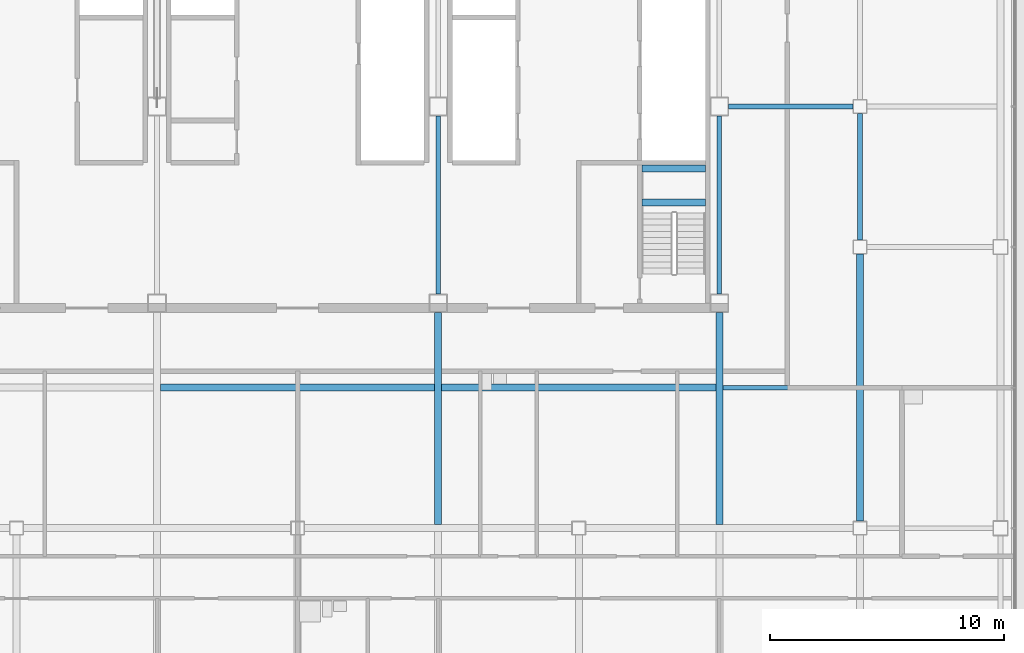
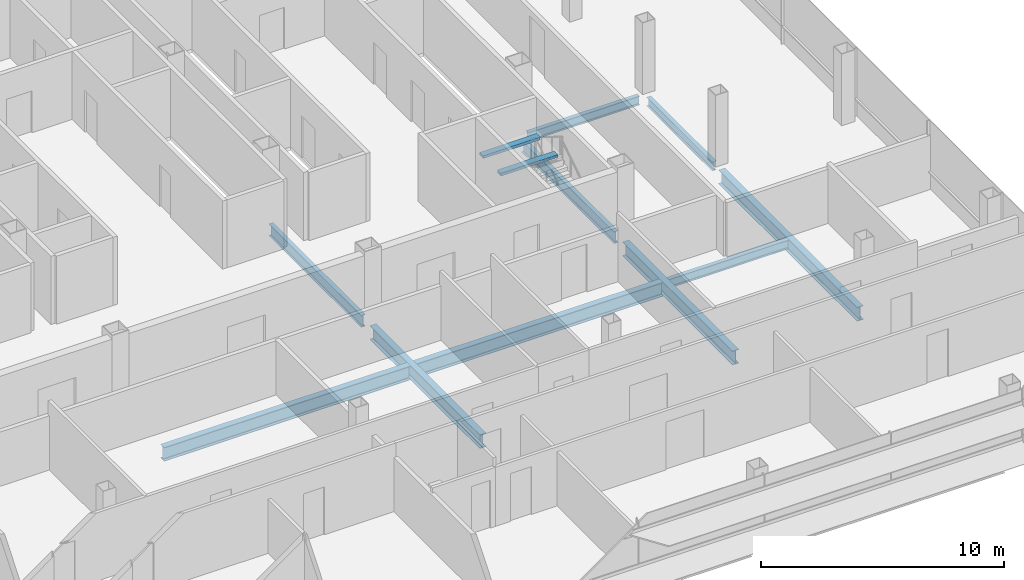
# One storey, part 10 of 26: 12 beams.
"""IFC4 building model written with IfcOpenShell, lengths in metres."""

from ifc_helpers import new_model, si_unit, direction, frame, origin, origin_2d, place, context, subcontext, project, spatial, rectangle, i_section, extrude, material, material_profile, profile_set, type_object, element, save


model = new_model("IFC4")

# Units and contexts
model_context = context("Model", 3, precision=1e-05, world=origin(), true_north=direction((0.0, 1.0)))
body_context = subcontext(model_context, "Body", "Model", "MODEL_VIEW")
ifc_project = project(units=[si_unit("LENGTHUNIT", "METRE"), si_unit("AREAUNIT", "SQUARE_METRE"), si_unit("VOLUMEUNIT", "CUBIC_METRE"), si_unit("PLANEANGLEUNIT", "RADIAN"), si_unit("MASSUNIT", "GRAM", prefix="KILO")], contexts=[model_context])

# Site, building, storey
site_placement = place(None, origin())
site = spatial("IfcSite", under=ifc_project, at=site_placement, CompositionType="ELEMENT")
building_placement = place(site_placement, origin())
building = spatial("IfcBuilding", under=site, at=building_placement, Name="Sorahane Residences", CompositionType="ELEMENT")
storey_placement = place(building_placement, frame((0.0, 0.0, 219.0)))
storey = spatial("IfcBuildingStorey", under=building, at=storey_placement, Name="L51", CompositionType="ELEMENT", Elevation=219.0)

# Beams
ifc_material_1 = material(Name="Concrete C40", Category="concrete")
ifc_material_profile_1 = material_profile(ifc_material_1, rectangle(XDim=0.300048828125, YDim=0.139892578125, at=origin_2d()), Name="300x140")
ifc_profile_set_1 = profile_set([ifc_material_profile_1], Name="Concrete C40")
beam_type_1 = type_object("IfcBeamType", Name="RC landing beam 300 x 140 Concrete C40", PredefinedType="BEAM", material=ifc_profile_set_1)
for number, where, z_axis, x_axis, name in (
    (1, (38.699951171875, 25.89990234375, 1.530029296875), (1.0, 0.0, 0.0), (0.0, 1.0, 0.0), "Landing beam"),
    (2, (38.699951171875, 27.35009765625, 1.530029296875), (1.0, 0.0, 0.0), (0.0, 1.0, 0.0), "Landing beam"),
):
    element("IfcBeam", number, at=place(storey_placement, frame(where, z_axis=z_axis, x_axis=x_axis)), inside=storey, type_object=beam_type_1, Name=name, PredefinedType="BEAM", context=body_context, shape_type="SweptSolid", body=[
        extrude(rectangle(XDim=0.300048828125, YDim=0.139892578125, at=origin_2d()), origin(), (0.0, 0.0, 1.0), 2.699951171875),
    ])
ifc_material_2 = material(Name="Steel Q355B", Category="steel")
ifc_material_profile_2 = material_profile(ifc_material_2, i_section(OverallWidth=0.199951171875, OverallDepth=0.449951171875, WebThickness=0.009033203125, FlangeThickness=0.013916015625, FilletRadius=0.02001953125, at=origin_2d()), Name="HN 450x200x9x14")
ifc_profile_set_2 = profile_set([ifc_material_profile_2], Name="Steel Q355B")
beam_type_2 = type_object("IfcBeamType", Name="Steel floor beam HN 450x200x9x14 Q355B", PredefinedType="BEAM", material=ifc_profile_set_2)
beam_1_placement = place(storey_placement, frame((48.0, 24.300048828125, -0.405029296875), z_axis=(0.0, 1.0, 0.0), x_axis=(-1.0, 0.0, 0.0)))
element("IfcBeam", 3, at=beam_1_placement, inside=storey, type_object=beam_type_2, Name="Beam L51 060", PredefinedType="BEAM", context=body_context, shape_type="SweptSolid", body=[
    extrude(i_section(OverallWidth=0.199951171875, OverallDepth=0.449951171875, WebThickness=0.009033203125, FlangeThickness=0.013916015625, FilletRadius=0.02001953125, at=origin_2d()), origin(), (0.0, 0.0, 1.0), 5.39990234375),
])
beam_2_placement = place(storey_placement, frame((42.14990234375, 18.0, -0.405029296875), z_axis=(1.0, 0.0, 0.0), x_axis=(0.0, 1.0, 0.0)))
element("IfcBeam", 4, at=beam_2_placement, inside=storey, type_object=beam_type_2, Name="Beam L51 083", PredefinedType="BEAM", context=body_context, shape_type="SweptSolid", body=[
    extrude(i_section(OverallWidth=0.199951171875, OverallDepth=0.449951171875, WebThickness=0.009033203125, FlangeThickness=0.013916015625, FilletRadius=0.02001953125, at=origin_2d()), origin(), (0.0, 0.0, 1.0), 5.7001953125),
])
beam_3_placement = place(storey_placement, frame((42.39990234375, 30.0, -0.405029296875), z_axis=(1.0, 0.0, 0.0), x_axis=(0.0, 1.0, 0.0)))
element("IfcBeam", 5, at=beam_3_placement, inside=storey, type_object=beam_type_2, Name="Beam L51 087", PredefinedType="BEAM", context=body_context, shape_type="SweptSolid", body=[
    extrude(i_section(OverallWidth=0.199951171875, OverallDepth=0.449951171875, WebThickness=0.009033203125, FlangeThickness=0.013916015625, FilletRadius=0.02001953125, at=origin_2d()), origin(), (0.0, 0.0, 1.0), 5.300048828125),
])
ifc_material_3 = material(Name="Steel Q355B", Category="steel")
ifc_material_profile_3 = material_profile(ifc_material_3, i_section(OverallWidth=0.199951171875, OverallDepth=0.60009765625, WebThickness=0.010986328125, FlangeThickness=0.01708984375, FilletRadius=0.02392578125, at=origin_2d()), Name="HN 600x200x11x17")
ifc_profile_set_3 = profile_set([ifc_material_profile_3], Name="Steel Q355B")
beam_type_3 = type_object("IfcBeamType", Name="Steel floor beam HN 600x200x11x17 Q355B", PredefinedType="BEAM", material=ifc_profile_set_3)
for number, where, z_axis, x_axis, name in (
    (6, (30.0, 22.0, -0.47998046875), (0.0, 1.0, 0.0), (-1.0, 0.0, 0.0), "Beam L51 046"),
    (7, (42.0, 22.0, -0.47998046875), (0.0, 1.0, 0.0), (-1.0, 0.0, 0.0), "Beam L51 054"),
):
    element("IfcBeam", number, at=place(storey_placement, frame(where, z_axis=z_axis, x_axis=x_axis)), inside=storey, type_object=beam_type_3, Name=name, PredefinedType="BEAM", context=body_context, shape_type="SweptSolid", body=[
        extrude(i_section(OverallWidth=0.199951171875, OverallDepth=0.60009765625, WebThickness=0.010986328125, FlangeThickness=0.01708984375, FilletRadius=0.02392578125, at=origin_2d()), origin(), (0.0, 0.0, 1.0), 7.60009765625),
    ])
ifc_material_4 = material(Name="Steel Q355B", Category="steel")
ifc_material_profile_4 = material_profile(ifc_material_4, i_section(OverallWidth=0.300048828125, OverallDepth=0.699951171875, WebThickness=0.012939453125, FlangeThickness=0.02392578125, FilletRadius=0.028076171875, at=origin_2d()), Name="HN 700x300x13x24")
ifc_profile_set_4 = profile_set([ifc_material_profile_4], Name="Steel Q355B")
beam_type_4 = type_object("IfcBeamType", Name="Steel floor beam HN 700x300x13x24 Q355B", PredefinedType="BEAM", material=ifc_profile_set_4)
for number, where, z_axis, x_axis, name in (
    (8, (30.0, 12.14990234375, -0.530029296875), (0.0, 1.0, 0.0), (-1.0, 0.0, 0.0), "Beam L51 045"),
    (9, (42.0, 12.14990234375, -0.530029296875), (0.0, 1.0, 0.0), (-1.0, 0.0, 0.0), "Beam L51 053"),
):
    element("IfcBeam", number, at=place(storey_placement, frame(where, z_axis=z_axis, x_axis=x_axis)), inside=storey, type_object=beam_type_4, Name=name, PredefinedType="BEAM", context=body_context, shape_type="SweptSolid", body=[
        extrude(i_section(OverallWidth=0.300048828125, OverallDepth=0.699951171875, WebThickness=0.012939453125, FlangeThickness=0.02392578125, FilletRadius=0.028076171875, at=origin_2d()), origin(), (0.0, 0.0, 1.0), 9.050048828125),
    ])
beam_4_placement = place(storey_placement, frame((48.0, 12.300048828125, -0.530029296875), z_axis=(0.0, 1.0, 0.0), x_axis=(-1.0, 0.0, 0.0)))
element("IfcBeam", 10, at=beam_4_placement, inside=storey, type_object=beam_type_4, Name="Beam L51 059", PredefinedType="BEAM", context=body_context, shape_type="SweptSolid", body=[
    extrude(i_section(OverallWidth=0.300048828125, OverallDepth=0.699951171875, WebThickness=0.012939453125, FlangeThickness=0.02392578125, FilletRadius=0.028076171875, at=origin_2d()), origin(), (0.0, 0.0, 1.0), 11.39990234375),
])
for number, where, z_axis, x_axis, name in (
    (11, (18.14990234375, 18.0, -0.530029296875), (1.0, 0.0, 0.0), (0.0, 1.0, 0.0), "Beam L51 081"),
    (12, (30.14990234375, 18.0, -0.530029296875), (1.0, 0.0, 0.0), (0.0, 1.0, 0.0), "Beam L51 082"),
):
    element("IfcBeam", number, at=place(storey_placement, frame(where, z_axis=z_axis, x_axis=x_axis)), inside=storey, type_object=beam_type_4, Name=name, PredefinedType="BEAM", context=body_context, shape_type="SweptSolid", body=[
        extrude(i_section(OverallWidth=0.300048828125, OverallDepth=0.699951171875, WebThickness=0.012939453125, FlangeThickness=0.02392578125, FilletRadius=0.028076171875, at=origin_2d()), origin(), (0.0, 0.0, 1.0), 11.7001953125),
    ])

save(model, "model.ifc")
